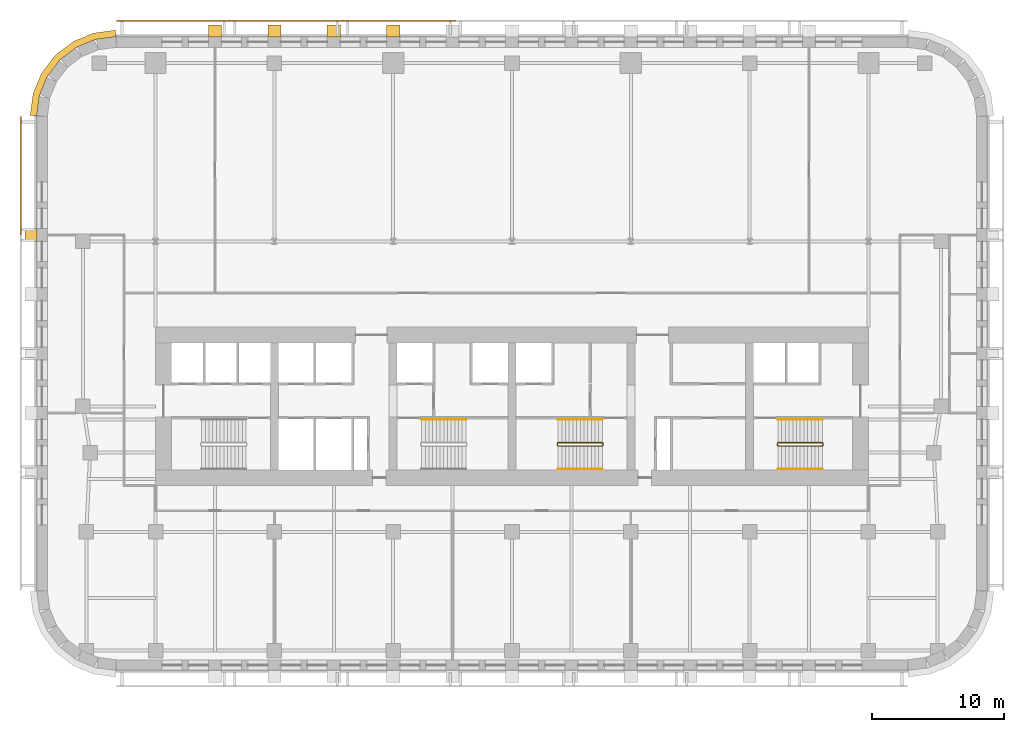
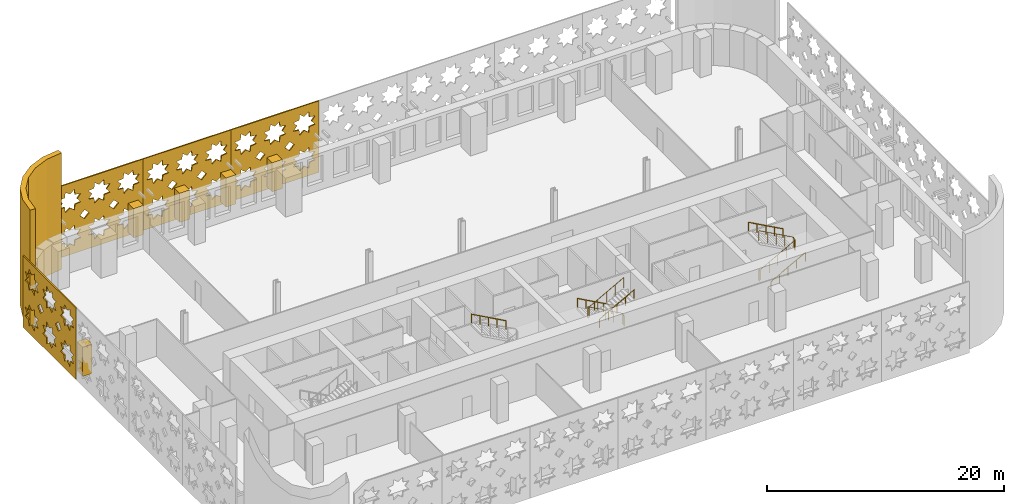
# One storey, part 11 of 13: 10 coverings, 7 railings.
"""IFC4 building model written with IfcOpenShell, lengths in metres."""

from ifc_helpers import new_model, si_unit, direction, frame, origin, origin_2d, place, context, subcontext, project, spatial, polyline, circle, outline, extrude, material, layer, layer_set, type_object, element, save


model = new_model("IFC4")

# Units and contexts
model_context = context("Model", 3, precision=1e-05, world=origin(), true_north=direction((0.0, 1.0)))
body_context = subcontext(model_context, "Body", "Model", "MODEL_VIEW")
ifc_project = project(units=[si_unit("LENGTHUNIT", "METRE"), si_unit("AREAUNIT", "SQUARE_METRE"), si_unit("VOLUMEUNIT", "CUBIC_METRE"), si_unit("PLANEANGLEUNIT", "RADIAN"), si_unit("MASSUNIT", "GRAM", prefix="KILO")], contexts=[model_context])

# Site, building, storey
site_placement = place(None, origin())
site = spatial("IfcSite", under=ifc_project, at=site_placement, CompositionType="ELEMENT")
building_placement = place(site_placement, origin())
building = spatial("IfcBuilding", under=site, at=building_placement, Name="Zellij Exchange Tower", CompositionType="ELEMENT")
storey_placement = place(building_placement, frame((0.0, 0.0, 52.5)))
storey = spatial("IfcBuildingStorey", under=building, at=storey_placement, Name="L09", CompositionType="ELEMENT", Elevation=52.5)

# Railings
ifc_material_1 = material(Name="Stainless steel", Category="steel")
railing_type_1 = type_object("IfcRailingType", Name="CORE-RG stair guard", PredefinedType="GUARDRAIL", material=ifc_material_1)
railing_1_placement = place(storey_placement, frame((6.89990234375, -10.800048828125, 0.0)))
element("IfcRailing", 1, at=railing_1_placement, inside=storey, type_object=railing_type_1, Name="ST3 stair guard L09", PredefinedType="GUARDRAIL", context=body_context, shape_type="SweptSolid", body=[
    extrude(circle(Radius=0.02392578125, at=origin_2d()), frame((0.0, 0.0, 1.076171875), z_axis=(0.0, -1.0, 0.0), x_axis=(1.0, 0.0, 0.0)), (0.0, 0.0, 1.0), 0.14990234375),
    extrude(circle(Radius=0.02392578125, at=origin_2d()), frame((0.0, -0.14990234375, 1.076171875), z_axis=(-0.193691321961, 0.777613689637, 0.598164376644), x_axis=(-0.970351222016, -0.241699205484, 0.0)), (0.0, 0.0, 1.0), 0.257080078125),
    extrude(circle(Radius=0.02392578125, at=origin_2d()), frame((-0.0498046875, 0.050048828125, 1.22998046875), z_axis=(-0.876421534553, 0.0, 0.481544695509), x_axis=(0.0, -1.0, 0.0)), (0.0, 0.0, 1.0), 3.833984375),
    extrude(circle(Radius=0.02392578125, at=origin_2d()), frame((-3.409912109375, 0.050048828125, 3.076171875), z_axis=(-0.707106781187, -0.707106781187, 0.0), x_axis=(0.707106781187, -0.707106781187, 0.0)), (0.0, 0.0, 1.0), 0.07080078125),
    extrude(circle(Radius=0.02392578125, at=origin_2d()), frame((-3.4599609375, 0.0, 3.076171875), z_axis=(0.0, -1.0, 0.0), x_axis=(1.0, 0.0, 0.0)), (0.0, 0.0, 1.0), 0.14990234375),
    extrude(circle(Radius=0.02392578125, at=origin_2d()), frame((-3.4599609375, -0.14990234375, 3.076171875), z_axis=(0.295599637079, -0.295599637079, 0.908428152975), x_axis=(0.707106781187, 0.707106781187, 0.0)), (0.0, 0.0, 1.0), 0.16943359375),
    extrude(circle(Radius=0.02392578125, at=origin_2d()), frame((-3.409912109375, -0.199951171875, 3.22998046875), z_axis=(0.876421534553, 0.0, 0.481544695509), x_axis=(0.0, 1.0, 0.0)), (0.0, 0.0, 1.0), 3.833984375),
    extrude(circle(Radius=0.02099609375, at=origin_2d()), origin(), (0.0, 0.0, 1.0), 1.052001953125),
    extrude(circle(Radius=0.02099609375, at=origin_2d()), frame((0.0, -0.14990234375, 0.0)), (0.0, 0.0, 1.0), 1.052001953125),
    extrude(circle(Radius=0.02099609375, at=origin_2d()), frame((-0.0498046875, 0.050048828125, 0.15380859375)), (0.0, 0.0, 1.0), 1.052001953125),
    extrude(circle(Radius=0.02099609375, at=origin_2d()), frame((-0.889892578125, 0.050048828125, 0.615234375)), (0.0, 0.0, 1.0), 1.052001953125),
    extrude(circle(Radius=0.02099609375, at=origin_2d()), frame((-1.72998046875, 0.050048828125, 1.076904296875)), (0.0, 0.0, 1.0), 1.052001953125),
    extrude(circle(Radius=0.02099609375, at=origin_2d()), frame((-2.56982421875, 0.050048828125, 1.53857421875)), (0.0, 0.0, 1.0), 1.052001953125),
    extrude(circle(Radius=0.02099609375, at=origin_2d()), frame((-3.409912109375, 0.050048828125, 2.0)), (0.0, 0.0, 1.0), 1.052001953125),
    extrude(circle(Radius=0.02099609375, at=origin_2d()), frame((-3.4599609375, 0.0, 2.0)), (0.0, 0.0, 1.0), 1.052001953125),
    extrude(circle(Radius=0.02099609375, at=origin_2d()), frame((-3.4599609375, -0.14990234375, 2.0)), (0.0, 0.0, 1.0), 1.052001953125),
    extrude(circle(Radius=0.02099609375, at=origin_2d()), frame((-3.409912109375, -0.199951171875, 2.15380859375)), (0.0, 0.0, 1.0), 1.052001953125),
    extrude(circle(Radius=0.02099609375, at=origin_2d()), frame((-2.56982421875, -0.199951171875, 2.615234375)), (0.0, 0.0, 1.0), 1.052001953125),
    extrude(circle(Radius=0.02099609375, at=origin_2d()), frame((-1.72998046875, -0.199951171875, 3.076904296875)), (0.0, 0.0, 1.0), 1.052001953125),
    extrude(circle(Radius=0.02099609375, at=origin_2d()), frame((-0.889892578125, -0.199951171875, 3.53857421875)), (0.0, 0.0, 1.0), 1.052001953125),
    extrude(circle(Radius=0.02099609375, at=origin_2d()), frame((-0.0498046875, -0.199951171875, 4.0)), (0.0, 0.0, 1.0), 1.052001953125),
])
railing_2_placement = place(storey_placement, frame((20.10009765625, -10.949951171875, 0.0)))
element("IfcRailing", 2, at=railing_2_placement, inside=storey, type_object=railing_type_1, Name="ST4 stair guard L09", PredefinedType="GUARDRAIL", context=body_context, shape_type="SweptSolid", body=[
    extrude(circle(Radius=0.02392578125, at=origin_2d()), frame((0.0, 0.0, 1.076171875), z_axis=(0.0, 1.0, 0.0), x_axis=(-1.0, 0.0, 0.0)), (0.0, 0.0, 1.0), 0.14990234375),
    extrude(circle(Radius=0.02392578125, at=origin_2d()), frame((0.0, 0.14990234375, 1.076171875), z_axis=(0.193691321961, -0.777613689637, 0.598164376644), x_axis=(0.970351222016, 0.241699205484, 0.0)), (0.0, 0.0, 1.0), 0.257080078125),
    extrude(circle(Radius=0.02392578125, at=origin_2d()), frame((0.0498046875, -0.050048828125, 1.22998046875), z_axis=(0.876421534553, 0.0, 0.481544695509), x_axis=(0.0, 1.0, 0.0)), (0.0, 0.0, 1.0), 3.833984375),
    extrude(circle(Radius=0.02392578125, at=origin_2d()), frame((3.409912109375, -0.050048828125, 3.076171875), z_axis=(0.707106781187, 0.707106781187, 0.0), x_axis=(-0.707106781187, 0.707106781187, 0.0)), (0.0, 0.0, 1.0), 0.07080078125),
    extrude(circle(Radius=0.02392578125, at=origin_2d()), frame((3.4599609375, 0.0, 3.076171875), z_axis=(0.0, 1.0, 0.0), x_axis=(-1.0, 0.0, 0.0)), (0.0, 0.0, 1.0), 0.14990234375),
    extrude(circle(Radius=0.02392578125, at=origin_2d()), frame((3.4599609375, 0.14990234375, 3.076171875), z_axis=(-0.295599637079, 0.295599637079, 0.908428152975), x_axis=(-0.707106781187, -0.707106781187, 0.0)), (0.0, 0.0, 1.0), 0.16943359375),
    extrude(circle(Radius=0.02392578125, at=origin_2d()), frame((3.409912109375, 0.199951171875, 3.22998046875), z_axis=(-0.876421534553, 0.0, 0.481544695509), x_axis=(0.0, -1.0, 0.0)), (0.0, 0.0, 1.0), 3.833984375),
    extrude(circle(Radius=0.02099609375, at=origin_2d()), origin(), (0.0, 0.0, 1.0), 1.052001953125),
    extrude(circle(Radius=0.02099609375, at=origin_2d()), frame((0.0, 0.14990234375, 0.0)), (0.0, 0.0, 1.0), 1.052001953125),
    extrude(circle(Radius=0.02099609375, at=origin_2d()), frame((0.0498046875, -0.050048828125, 0.15380859375)), (0.0, 0.0, 1.0), 1.052001953125),
    extrude(circle(Radius=0.02099609375, at=origin_2d()), frame((0.889892578125, -0.050048828125, 0.615234375)), (0.0, 0.0, 1.0), 1.052001953125),
    extrude(circle(Radius=0.02099609375, at=origin_2d()), frame((1.72998046875, -0.050048828125, 1.076904296875)), (0.0, 0.0, 1.0), 1.052001953125),
    extrude(circle(Radius=0.02099609375, at=origin_2d()), frame((2.56982421875, -0.050048828125, 1.53857421875)), (0.0, 0.0, 1.0), 1.052001953125),
    extrude(circle(Radius=0.02099609375, at=origin_2d()), frame((3.409912109375, -0.050048828125, 2.0)), (0.0, 0.0, 1.0), 1.052001953125),
    extrude(circle(Radius=0.02099609375, at=origin_2d()), frame((3.4599609375, 0.0, 2.0)), (0.0, 0.0, 1.0), 1.052001953125),
    extrude(circle(Radius=0.02099609375, at=origin_2d()), frame((3.4599609375, 0.14990234375, 2.0)), (0.0, 0.0, 1.0), 1.052001953125),
    extrude(circle(Radius=0.02099609375, at=origin_2d()), frame((3.409912109375, 0.199951171875, 2.15380859375)), (0.0, 0.0, 1.0), 1.052001953125),
    extrude(circle(Radius=0.02099609375, at=origin_2d()), frame((2.56982421875, 0.199951171875, 2.615234375)), (0.0, 0.0, 1.0), 1.052001953125),
    extrude(circle(Radius=0.02099609375, at=origin_2d()), frame((1.72998046875, 0.199951171875, 3.076904296875)), (0.0, 0.0, 1.0), 1.052001953125),
    extrude(circle(Radius=0.02099609375, at=origin_2d()), frame((0.889892578125, 0.199951171875, 3.53857421875)), (0.0, 0.0, 1.0), 1.052001953125),
    extrude(circle(Radius=0.02099609375, at=origin_2d()), frame((0.0498046875, 0.199951171875, 4.0)), (0.0, 0.0, 1.0), 1.052001953125),
])
railing_type_2 = type_object("IfcRailingType", Name="CORE-RH stair handrail", PredefinedType="HANDRAIL", material=ifc_material_1)
for number, where, name in (
    (3, (-3.489990234375, -9.0, 2.15380859375), "ST2 stair handrail L09"),
    (4, (6.85009765625, -9.0, 0.15380859375), "ST3 stair handrail L09"),
):
    element("IfcRailing", number, at=place(storey_placement, frame(where)), inside=storey, type_object=railing_type_2, Name=name, PredefinedType="HANDRAIL", context=body_context, shape_type="SweptSolid", body=[
        extrude(circle(Radius=0.02392578125, at=origin_2d()), frame((0.0, 0.0, 0.8759765625), z_axis=(-0.876421534553, 0.0, 0.481544695509), x_axis=(0.0, -1.0, 0.0)), (0.0, 0.0, 1.0), 3.833984375),
        extrude(circle(Radius=0.02099609375, at=origin_2d()), origin(), (0.0, 0.0, 1.0), 0.851806640625),
        extrude(circle(Radius=0.02099609375, at=origin_2d()), frame((-0.840087890625, 0.0, 0.46142578125)), (0.0, 0.0, 1.0), 0.851806640625),
        extrude(circle(Radius=0.02099609375, at=origin_2d()), frame((-1.68017578125, 0.0, 0.923095703125)), (0.0, 0.0, 1.0), 0.851806640625),
        extrude(circle(Radius=0.02099609375, at=origin_2d()), frame((-2.52001953125, 0.0, 1.384765625)), (0.0, 0.0, 1.0), 0.851806640625),
        extrude(circle(Radius=0.02099609375, at=origin_2d()), frame((-3.360107421875, 0.0, 1.84619140625)), (0.0, 0.0, 1.0), 0.851806640625),
    ])
for number, where, name in (
    (5, (3.489990234375, -12.75, 2.15380859375), "ST3 stair handrail L09"),
    (6, (20.14990234375, -12.75, 0.15380859375), "ST4 stair handrail L09"),
):
    element("IfcRailing", number, at=place(storey_placement, frame(where)), inside=storey, type_object=railing_type_2, Name=name, PredefinedType="HANDRAIL", context=body_context, shape_type="SweptSolid", body=[
        extrude(circle(Radius=0.02392578125, at=origin_2d()), frame((0.0, 0.0, 0.8759765625), z_axis=(0.876421534553, 0.0, 0.481544695509), x_axis=(0.0, 1.0, 0.0)), (0.0, 0.0, 1.0), 3.833984375),
        extrude(circle(Radius=0.02099609375, at=origin_2d()), origin(), (0.0, 0.0, 1.0), 0.851806640625),
        extrude(circle(Radius=0.02099609375, at=origin_2d()), frame((0.840087890625, 0.0, 0.46142578125)), (0.0, 0.0, 1.0), 0.851806640625),
        extrude(circle(Radius=0.02099609375, at=origin_2d()), frame((1.68017578125, 0.0, 0.923095703125)), (0.0, 0.0, 1.0), 0.851806640625),
        extrude(circle(Radius=0.02099609375, at=origin_2d()), frame((2.52001953125, 0.0, 1.384765625)), (0.0, 0.0, 1.0), 0.851806640625),
        extrude(circle(Radius=0.02099609375, at=origin_2d()), frame((3.360107421875, 0.0, 1.84619140625)), (0.0, 0.0, 1.0), 0.851806640625),
    ])
railing_3_placement = place(storey_placement, frame((23.510009765625, -9.0, 2.15380859375)))
element("IfcRailing", 7, at=railing_3_placement, inside=storey, type_object=railing_type_2, Name="ST4 stair handrail L09", PredefinedType="HANDRAIL", context=body_context, shape_type="SweptSolid", body=[
    extrude(circle(Radius=0.02392578125, at=origin_2d()), frame((0.0, 0.0, 0.8759765625), z_axis=(-0.876421534553, 0.0, 0.481544695509), x_axis=(0.0, -1.0, 0.0)), (0.0, 0.0, 1.0), 3.833984375),
    extrude(circle(Radius=0.02099609375, at=origin_2d()), origin(), (0.0, 0.0, 1.0), 0.851806640625),
    extrude(circle(Radius=0.02099609375, at=origin_2d()), frame((-0.840087890625, 0.0, 0.46142578125)), (0.0, 0.0, 1.0), 0.851806640625),
    extrude(circle(Radius=0.02099609375, at=origin_2d()), frame((-1.68017578125, 0.0, 0.923095703125)), (0.0, 0.0, 1.0), 0.851806640625),
    extrude(circle(Radius=0.02099609375, at=origin_2d()), frame((-2.52001953125, 0.0, 1.384765625)), (0.0, 0.0, 1.0), 0.851806640625),
    extrude(circle(Radius=0.02099609375, at=origin_2d()), frame((-3.360107421875, 0.0, 1.84619140625)), (0.0, 0.0, 1.0), 0.851806640625),
])

# Coverings
ifc_material_2 = material(Name="Limestone cladding", Category="masonry")
ifc_layer_1 = layer(ifc_material_2, 0.5)
ifc_layer_set_1 = layer_set([ifc_layer_1], Name="Limestone cladding")
covering_type_1 = type_object("IfcCoveringType", Name="ENV-CV12 Stone corner pier 500", PredefinedType="CLADDING", material=ifc_layer_set_1)
covering_1_placement = place(storey_placement, origin())
element("IfcCovering", 8, at=covering_1_placement, inside=storey, type_object=covering_type_1, Name="Stone corner pier", PredefinedType="CLADDING", context=body_context, shape_type="SweptSolid", body=[
    extrude(outline(polyline([(-30.0, 20.0), (-31.552978515625, 19.795654296875), (-33.0, 19.1962890625), (-34.24267578125, 18.24267578125), (-35.1962890625, 17.0), (-35.795654296875, 15.552978515625), (-36.0, 14.0), (-36.5, 14.03271484375), (-36.28271484375, 15.683349609375), (-35.6328125, 17.252197265625), (-34.59912109375, 18.59912109375), (-33.252197265625, 19.6328125), (-31.683349609375, 20.28271484375), (-30.03271484375, 20.5), (-30.0, 20.0)])), origin(), (0.0, 0.0, 1.0), 12.0),
])
covering_type_2 = type_object("IfcCoveringType", Name="ENV-CV2 Stone pier 1000x900", PredefinedType="CLADDING", material=ifc_material_2)
covering_2_placement = place(storey_placement, frame((0.0, 0.0, 0.800048828125)))
element("IfcCovering", 9, at=covering_2_placement, inside=storey, type_object=covering_type_2, Name="Stone pier", PredefinedType="CLADDING", context=body_context, shape_type="SweptSolid", body=[
    extrude(outline(polyline([(-8.5, 20.0), (-9.5, 20.0), (-9.5, 20.89990234375), (-8.5, 20.89990234375), (-8.5, 20.0)])), origin(), (0.0, 0.0, 1.0), 3.0),
])
covering_3_placement = place(storey_placement, frame((0.0, 0.0, 0.800048828125)))
element("IfcCovering", 10, at=covering_3_placement, inside=storey, type_object=covering_type_2, Name="Stone pier", PredefinedType="CLADDING", context=body_context, shape_type="SweptSolid", body=[
    extrude(outline(polyline([(-13.0, 20.0), (-14.0, 20.0), (-14.0, 20.89990234375), (-13.0, 20.89990234375), (-13.0, 20.0)])), origin(), (0.0, 0.0, 1.0), 3.0),
])
covering_4_placement = place(storey_placement, frame((0.0, 0.0, 0.800048828125)))
element("IfcCovering", 11, at=covering_4_placement, inside=storey, type_object=covering_type_2, Name="Stone pier", PredefinedType="CLADDING", context=body_context, shape_type="SweptSolid", body=[
    extrude(outline(polyline([(-17.5, 20.0), (-18.5, 20.0), (-18.5, 20.89990234375), (-17.5, 20.89990234375), (-17.5, 20.0)])), origin(), (0.0, 0.0, 1.0), 3.0),
])
covering_5_placement = place(storey_placement, frame((0.0, 0.0, 0.800048828125)))
element("IfcCovering", 12, at=covering_5_placement, inside=storey, type_object=covering_type_2, Name="Stone pier", PredefinedType="CLADDING", context=body_context, shape_type="SweptSolid", body=[
    extrude(outline(polyline([(-22.0, 20.0), (-23.0, 20.0), (-23.0, 20.89990234375), (-22.0, 20.89990234375), (-22.0, 20.0)])), origin(), (0.0, 0.0, 1.0), 3.0),
])
covering_6_placement = place(storey_placement, frame((0.0, 0.0, 0.800048828125)))
element("IfcCovering", 13, at=covering_6_placement, inside=storey, type_object=covering_type_2, Name="Stone pier", PredefinedType="CLADDING", context=body_context, shape_type="SweptSolid", body=[
    extrude(outline(polyline([(-36.0, 5.48681640625), (-36.0, 4.48681640625), (-36.89990234375, 4.48681640625), (-36.89990234375, 5.48681640625), (-36.0, 5.48681640625)])), origin(), (0.0, 0.0, 1.0), 3.0),
])
ifc_material_3 = material(Name="Limestone screen", Category="masonry")
ifc_layer_2 = layer(ifc_material_3, 0.1201171875)
ifc_layer_set_2 = layer_set([ifc_layer_2], Name="Limestone screen")
covering_type_3 = type_object("IfcCoveringType", Name="ENV-SC1 Pierced stone screen 120", PredefinedType="USERDEFINED", material=ifc_layer_set_2)
covering_7_placement = place(storey_placement, frame((-37.2099609375, 13.947509765625, 0.300048828125), z_axis=(0.0, 0.0, 1.0), x_axis=(0.0, -1.0, 0.0)))
element("IfcCovering", 14, at=covering_7_placement, inside=storey, type_object=covering_type_3, Name="Pierced stone screen", ObjectType="SCREEN", PredefinedType="USERDEFINED", context=body_context, shape_type="SweptSolid", body=[
    extrude(outline(polyline([(0.0, 0.0), (8.973876953125, 0.0), (8.973876953125, 7.35009765625), (0.0, 7.35009765625), (0.0, 0.0)]), holes=[polyline([(2.60107421875, 2.29541015625), (2.020263671875, 2.362060546875), (1.95361328125, 2.94287109375), (1.49560546875, 2.579345703125), (1.03759765625, 2.94287109375), (0.97119140625, 2.362060546875), (0.39013671875, 2.29541015625), (0.75390625, 1.83740234375), (0.39013671875, 1.379638671875), (0.97119140625, 1.31298828125), (1.03759765625, 0.732177734375), (1.49560546875, 1.095703125), (1.95361328125, 0.732177734375), (2.020263671875, 1.31298828125), (2.60107421875, 1.379638671875), (2.237548828125, 1.83740234375), (2.60107421875, 2.29541015625)]), polyline([(2.60107421875, 5.970458984375), (2.020263671875, 6.037109375), (1.95361328125, 6.617919921875), (1.49560546875, 6.25439453125), (1.03759765625, 6.617919921875), (0.97119140625, 6.037109375), (0.39013671875, 5.970458984375), (0.75390625, 5.512451171875), (0.39013671875, 5.0546875), (0.97119140625, 4.98779296875), (1.03759765625, 4.406982421875), (1.49560546875, 4.770751953125), (1.95361328125, 4.406982421875), (2.020263671875, 4.98779296875), (2.60107421875, 5.0546875), (2.237548828125, 5.512451171875), (2.60107421875, 5.970458984375)]), polyline([(5.59228515625, 2.29541015625), (5.011474609375, 2.362060546875), (4.94482421875, 2.94287109375), (4.48681640625, 2.579345703125), (4.029052734375, 2.94287109375), (3.96240234375, 2.362060546875), (3.381591796875, 2.29541015625), (3.7451171875, 1.83740234375), (3.381591796875, 1.379638671875), (3.96240234375, 1.31298828125), (4.029052734375, 0.732177734375), (4.48681640625, 1.095703125), (4.94482421875, 0.732177734375), (5.011474609375, 1.31298828125), (5.59228515625, 1.379638671875), (5.228759765625, 1.83740234375), (5.59228515625, 2.29541015625)]), polyline([(5.59228515625, 5.970458984375), (5.011474609375, 6.037109375), (4.94482421875, 6.617919921875), (4.48681640625, 6.25439453125), (4.029052734375, 6.617919921875), (3.96240234375, 6.037109375), (3.381591796875, 5.970458984375), (3.7451171875, 5.512451171875), (3.381591796875, 5.0546875), (3.96240234375, 4.98779296875), (4.029052734375, 4.406982421875), (4.48681640625, 4.770751953125), (4.94482421875, 4.406982421875), (5.011474609375, 4.98779296875), (5.59228515625, 5.0546875), (5.228759765625, 5.512451171875), (5.59228515625, 5.970458984375)]), polyline([(8.58349609375, 2.29541015625), (8.002685546875, 2.362060546875), (7.93603515625, 2.94287109375), (7.478271484375, 2.579345703125), (7.020263671875, 2.94287109375), (6.95361328125, 2.362060546875), (6.372802734375, 2.29541015625), (6.736328125, 1.83740234375), (6.372802734375, 1.379638671875), (6.95361328125, 1.31298828125), (7.020263671875, 0.732177734375), (7.478271484375, 1.095703125), (7.93603515625, 0.732177734375), (8.002685546875, 1.31298828125), (8.58349609375, 1.379638671875), (8.219970703125, 1.83740234375), (8.58349609375, 2.29541015625)]), polyline([(8.58349609375, 5.970458984375), (8.002685546875, 6.037109375), (7.93603515625, 6.617919921875), (7.478271484375, 6.25439453125), (7.020263671875, 6.617919921875), (6.95361328125, 6.037109375), (6.372802734375, 5.970458984375), (6.736328125, 5.512451171875), (6.372802734375, 5.0546875), (6.95361328125, 4.98779296875), (7.020263671875, 4.406982421875), (7.478271484375, 4.770751953125), (7.93603515625, 4.406982421875), (8.002685546875, 4.98779296875), (8.58349609375, 5.0546875), (8.219970703125, 5.512451171875), (8.58349609375, 5.970458984375)]), polyline([(3.469970703125, 3.675048828125), (2.9912109375, 4.153564453125), (2.5126953125, 3.675048828125), (2.9912109375, 3.1962890625), (3.469970703125, 3.675048828125)]), polyline([(6.461181640625, 3.675048828125), (5.982421875, 4.153564453125), (5.50390625, 3.675048828125), (5.982421875, 3.1962890625), (6.461181640625, 3.675048828125)])]), frame((0.0, 0.06005859375, 0.0), z_axis=(0.0, -1.0, 0.0), x_axis=(1.0, 0.0, 0.0)), (0.0, 0.0, 1.0), 0.1201171875),
])
covering_8_placement = place(storey_placement, frame((-4.2783203125, 21.2099609375, 0.300048828125), z_axis=(0.0, 0.0, 1.0), x_axis=(-1.0, 0.0, 0.0)))
element("IfcCovering", 15, at=covering_8_placement, inside=storey, type_object=covering_type_3, Name="Pierced stone screen", ObjectType="SCREEN", PredefinedType="USERDEFINED", context=body_context, shape_type="SweptSolid", body=[
    extrude(outline(polyline([(0.0, 0.0), (8.556396484375, 0.0), (8.556396484375, 7.35009765625), (0.0, 7.35009765625), (0.0, 0.0)]), holes=[polyline([(2.47998046875, 2.274169921875), (1.92626953125, 2.337646484375), (1.86279296875, 2.8916015625), (1.426025390625, 2.544921875), (0.989501953125, 2.8916015625), (0.92578125, 2.337646484375), (0.3720703125, 2.274169921875), (0.71875, 1.83740234375), (0.3720703125, 1.40087890625), (0.92578125, 1.33740234375), (0.989501953125, 0.783447265625), (1.426025390625, 1.130126953125), (1.86279296875, 0.783447265625), (1.92626953125, 1.33740234375), (2.47998046875, 1.40087890625), (2.13330078125, 1.83740234375), (2.47998046875, 2.274169921875)]), polyline([(2.47998046875, 5.94921875), (1.92626953125, 6.0126953125), (1.86279296875, 6.56640625), (1.426025390625, 6.2197265625), (0.989501953125, 6.56640625), (0.92578125, 6.0126953125), (0.3720703125, 5.94921875), (0.71875, 5.512451171875), (0.3720703125, 5.075927734375), (0.92578125, 5.01220703125), (0.989501953125, 4.45849609375), (1.426025390625, 4.80517578125), (1.86279296875, 4.45849609375), (1.92626953125, 5.01220703125), (2.47998046875, 5.075927734375), (2.13330078125, 5.512451171875), (2.47998046875, 5.94921875)]), polyline([(5.332275390625, 2.274169921875), (4.7783203125, 2.337646484375), (4.71484375, 2.8916015625), (4.2783203125, 2.544921875), (3.841552734375, 2.8916015625), (3.778076171875, 2.337646484375), (3.22412109375, 2.274169921875), (3.57080078125, 1.83740234375), (3.22412109375, 1.40087890625), (3.778076171875, 1.33740234375), (3.841552734375, 0.783447265625), (4.2783203125, 1.130126953125), (4.71484375, 0.783447265625), (4.7783203125, 1.33740234375), (5.332275390625, 1.40087890625), (4.985595703125, 1.83740234375), (5.332275390625, 2.274169921875)]), polyline([(5.332275390625, 5.94921875), (4.7783203125, 6.0126953125), (4.71484375, 6.56640625), (4.2783203125, 6.2197265625), (3.841552734375, 6.56640625), (3.778076171875, 6.0126953125), (3.22412109375, 5.94921875), (3.57080078125, 5.512451171875), (3.22412109375, 5.075927734375), (3.778076171875, 5.01220703125), (3.841552734375, 4.45849609375), (4.2783203125, 4.80517578125), (4.71484375, 4.45849609375), (4.7783203125, 5.01220703125), (5.332275390625, 5.075927734375), (4.985595703125, 5.512451171875), (5.332275390625, 5.94921875)]), polyline([(8.184326171875, 2.274169921875), (7.630615234375, 2.337646484375), (7.56689453125, 2.8916015625), (7.13037109375, 2.544921875), (6.69384765625, 2.8916015625), (6.630126953125, 2.337646484375), (6.076416015625, 2.274169921875), (6.423095703125, 1.83740234375), (6.076416015625, 1.40087890625), (6.630126953125, 1.33740234375), (6.69384765625, 0.783447265625), (7.13037109375, 1.130126953125), (7.56689453125, 0.783447265625), (7.630615234375, 1.33740234375), (8.184326171875, 1.40087890625), (7.837646484375, 1.83740234375), (8.184326171875, 2.274169921875)]), polyline([(8.184326171875, 5.94921875), (7.630615234375, 6.0126953125), (7.56689453125, 6.56640625), (7.13037109375, 6.2197265625), (6.69384765625, 6.56640625), (6.630126953125, 6.0126953125), (6.076416015625, 5.94921875), (6.423095703125, 5.512451171875), (6.076416015625, 5.075927734375), (6.630126953125, 5.01220703125), (6.69384765625, 4.45849609375), (7.13037109375, 4.80517578125), (7.56689453125, 4.45849609375), (7.630615234375, 5.01220703125), (8.184326171875, 5.075927734375), (7.837646484375, 5.512451171875), (8.184326171875, 5.94921875)]), polyline([(3.30859375, 3.675048828125), (2.852294921875, 4.13134765625), (2.395751953125, 3.675048828125), (2.852294921875, 3.21875), (3.30859375, 3.675048828125)]), polyline([(6.16064453125, 3.675048828125), (5.704345703125, 4.13134765625), (5.248046875, 3.675048828125), (5.704345703125, 3.21875), (6.16064453125, 3.675048828125)])]), frame((0.0, 0.06005859375, 0.0), z_axis=(0.0, -1.0, 0.0), x_axis=(1.0, 0.0, 0.0)), (0.0, 0.0, 1.0), 0.1201171875),
])
covering_9_placement = place(storey_placement, frame((-12.834716796875, 21.2099609375, 0.300048828125), z_axis=(0.0, 0.0, 1.0), x_axis=(-1.0, 0.0, 0.0)))
element("IfcCovering", 16, at=covering_9_placement, inside=storey, type_object=covering_type_3, Name="Pierced stone screen", ObjectType="SCREEN", PredefinedType="USERDEFINED", context=body_context, shape_type="SweptSolid", body=[
    extrude(outline(polyline([(0.0, 0.0), (8.556396484375, 0.0), (8.556396484375, 7.35009765625), (0.0, 7.35009765625), (0.0, 0.0)]), holes=[polyline([(2.47998046875, 2.274169921875), (1.92626953125, 2.337646484375), (1.86279296875, 2.8916015625), (1.426025390625, 2.544921875), (0.989501953125, 2.8916015625), (0.92578125, 2.337646484375), (0.3720703125, 2.274169921875), (0.71875, 1.83740234375), (0.3720703125, 1.40087890625), (0.92578125, 1.33740234375), (0.989501953125, 0.783447265625), (1.426025390625, 1.130126953125), (1.86279296875, 0.783447265625), (1.92626953125, 1.33740234375), (2.47998046875, 1.40087890625), (2.13330078125, 1.83740234375), (2.47998046875, 2.274169921875)]), polyline([(2.47998046875, 5.94921875), (1.92626953125, 6.0126953125), (1.86279296875, 6.56640625), (1.426025390625, 6.2197265625), (0.989501953125, 6.56640625), (0.92578125, 6.0126953125), (0.3720703125, 5.94921875), (0.71875, 5.512451171875), (0.3720703125, 5.075927734375), (0.92578125, 5.01220703125), (0.989501953125, 4.45849609375), (1.426025390625, 4.80517578125), (1.86279296875, 4.45849609375), (1.92626953125, 5.01220703125), (2.47998046875, 5.075927734375), (2.13330078125, 5.512451171875), (2.47998046875, 5.94921875)]), polyline([(5.332275390625, 2.274169921875), (4.7783203125, 2.337646484375), (4.71484375, 2.8916015625), (4.2783203125, 2.544921875), (3.841552734375, 2.8916015625), (3.778076171875, 2.337646484375), (3.22412109375, 2.274169921875), (3.57080078125, 1.83740234375), (3.22412109375, 1.40087890625), (3.778076171875, 1.33740234375), (3.841552734375, 0.783447265625), (4.2783203125, 1.130126953125), (4.71484375, 0.783447265625), (4.7783203125, 1.33740234375), (5.332275390625, 1.40087890625), (4.985595703125, 1.83740234375), (5.332275390625, 2.274169921875)]), polyline([(5.332275390625, 5.94921875), (4.7783203125, 6.0126953125), (4.71484375, 6.56640625), (4.2783203125, 6.2197265625), (3.841552734375, 6.56640625), (3.778076171875, 6.0126953125), (3.22412109375, 5.94921875), (3.57080078125, 5.512451171875), (3.22412109375, 5.075927734375), (3.778076171875, 5.01220703125), (3.841552734375, 4.45849609375), (4.2783203125, 4.80517578125), (4.71484375, 4.45849609375), (4.7783203125, 5.01220703125), (5.332275390625, 5.075927734375), (4.985595703125, 5.512451171875), (5.332275390625, 5.94921875)]), polyline([(8.184326171875, 2.274169921875), (7.630615234375, 2.337646484375), (7.56689453125, 2.8916015625), (7.13037109375, 2.544921875), (6.69384765625, 2.8916015625), (6.630126953125, 2.337646484375), (6.076416015625, 2.274169921875), (6.423095703125, 1.83740234375), (6.076416015625, 1.40087890625), (6.630126953125, 1.33740234375), (6.69384765625, 0.783447265625), (7.13037109375, 1.130126953125), (7.56689453125, 0.783447265625), (7.630615234375, 1.33740234375), (8.184326171875, 1.40087890625), (7.837646484375, 1.83740234375), (8.184326171875, 2.274169921875)]), polyline([(8.184326171875, 5.94921875), (7.630615234375, 6.0126953125), (7.56689453125, 6.56640625), (7.13037109375, 6.2197265625), (6.69384765625, 6.56640625), (6.630126953125, 6.0126953125), (6.076416015625, 5.94921875), (6.423095703125, 5.512451171875), (6.076416015625, 5.075927734375), (6.630126953125, 5.01220703125), (6.69384765625, 4.45849609375), (7.13037109375, 4.80517578125), (7.56689453125, 4.45849609375), (7.630615234375, 5.01220703125), (8.184326171875, 5.075927734375), (7.837646484375, 5.512451171875), (8.184326171875, 5.94921875)]), polyline([(3.30859375, 3.675048828125), (2.852294921875, 4.13134765625), (2.395751953125, 3.675048828125), (2.852294921875, 3.21875), (3.30859375, 3.675048828125)]), polyline([(6.16064453125, 3.675048828125), (5.704345703125, 4.13134765625), (5.248046875, 3.675048828125), (5.704345703125, 3.21875), (6.16064453125, 3.675048828125)])]), frame((0.0, 0.06005859375, 0.0), z_axis=(0.0, -1.0, 0.0), x_axis=(1.0, 0.0, 0.0)), (0.0, 0.0, 1.0), 0.1201171875),
])
covering_10_placement = place(storey_placement, frame((-21.39111328125, 21.2099609375, 0.300048828125), z_axis=(0.0, 0.0, 1.0), x_axis=(-1.0, 0.0, 0.0)))
element("IfcCovering", 17, at=covering_10_placement, inside=storey, type_object=covering_type_3, Name="Pierced stone screen", ObjectType="SCREEN", PredefinedType="USERDEFINED", context=body_context, shape_type="SweptSolid", body=[
    extrude(outline(polyline([(0.0, 0.0), (8.556396484375, 0.0), (8.556396484375, 7.35009765625), (0.0, 7.35009765625), (0.0, 0.0)]), holes=[polyline([(2.47998046875, 2.274169921875), (1.92626953125, 2.337646484375), (1.86279296875, 2.8916015625), (1.426025390625, 2.544921875), (0.989501953125, 2.8916015625), (0.92578125, 2.337646484375), (0.3720703125, 2.274169921875), (0.71875, 1.83740234375), (0.3720703125, 1.40087890625), (0.92578125, 1.33740234375), (0.989501953125, 0.783447265625), (1.426025390625, 1.130126953125), (1.86279296875, 0.783447265625), (1.92626953125, 1.33740234375), (2.47998046875, 1.40087890625), (2.13330078125, 1.83740234375), (2.47998046875, 2.274169921875)]), polyline([(2.47998046875, 5.94921875), (1.92626953125, 6.0126953125), (1.86279296875, 6.56640625), (1.426025390625, 6.2197265625), (0.989501953125, 6.56640625), (0.92578125, 6.0126953125), (0.3720703125, 5.94921875), (0.71875, 5.512451171875), (0.3720703125, 5.075927734375), (0.92578125, 5.01220703125), (0.989501953125, 4.45849609375), (1.426025390625, 4.80517578125), (1.86279296875, 4.45849609375), (1.92626953125, 5.01220703125), (2.47998046875, 5.075927734375), (2.13330078125, 5.512451171875), (2.47998046875, 5.94921875)]), polyline([(5.332275390625, 2.274169921875), (4.7783203125, 2.337646484375), (4.71484375, 2.8916015625), (4.2783203125, 2.544921875), (3.841552734375, 2.8916015625), (3.778076171875, 2.337646484375), (3.22412109375, 2.274169921875), (3.57080078125, 1.83740234375), (3.22412109375, 1.40087890625), (3.778076171875, 1.33740234375), (3.841552734375, 0.783447265625), (4.2783203125, 1.130126953125), (4.71484375, 0.783447265625), (4.7783203125, 1.33740234375), (5.332275390625, 1.40087890625), (4.985595703125, 1.83740234375), (5.332275390625, 2.274169921875)]), polyline([(5.332275390625, 5.94921875), (4.7783203125, 6.0126953125), (4.71484375, 6.56640625), (4.2783203125, 6.2197265625), (3.841552734375, 6.56640625), (3.778076171875, 6.0126953125), (3.22412109375, 5.94921875), (3.57080078125, 5.512451171875), (3.22412109375, 5.075927734375), (3.778076171875, 5.01220703125), (3.841552734375, 4.45849609375), (4.2783203125, 4.80517578125), (4.71484375, 4.45849609375), (4.7783203125, 5.01220703125), (5.332275390625, 5.075927734375), (4.985595703125, 5.512451171875), (5.332275390625, 5.94921875)]), polyline([(8.184326171875, 2.274169921875), (7.630615234375, 2.337646484375), (7.56689453125, 2.8916015625), (7.13037109375, 2.544921875), (6.69384765625, 2.8916015625), (6.630126953125, 2.337646484375), (6.076416015625, 2.274169921875), (6.423095703125, 1.83740234375), (6.076416015625, 1.40087890625), (6.630126953125, 1.33740234375), (6.69384765625, 0.783447265625), (7.13037109375, 1.130126953125), (7.56689453125, 0.783447265625), (7.630615234375, 1.33740234375), (8.184326171875, 1.40087890625), (7.837646484375, 1.83740234375), (8.184326171875, 2.274169921875)]), polyline([(8.184326171875, 5.94921875), (7.630615234375, 6.0126953125), (7.56689453125, 6.56640625), (7.13037109375, 6.2197265625), (6.69384765625, 6.56640625), (6.630126953125, 6.0126953125), (6.076416015625, 5.94921875), (6.423095703125, 5.512451171875), (6.076416015625, 5.075927734375), (6.630126953125, 5.01220703125), (6.69384765625, 4.45849609375), (7.13037109375, 4.80517578125), (7.56689453125, 4.45849609375), (7.630615234375, 5.01220703125), (8.184326171875, 5.075927734375), (7.837646484375, 5.512451171875), (8.184326171875, 5.94921875)]), polyline([(3.30859375, 3.675048828125), (2.852294921875, 4.13134765625), (2.395751953125, 3.675048828125), (2.852294921875, 3.21875), (3.30859375, 3.675048828125)]), polyline([(6.16064453125, 3.675048828125), (5.704345703125, 4.13134765625), (5.248046875, 3.675048828125), (5.704345703125, 3.21875), (6.16064453125, 3.675048828125)])]), frame((0.0, 0.06005859375, 0.0), z_axis=(0.0, -1.0, 0.0), x_axis=(1.0, 0.0, 0.0)), (0.0, 0.0, 1.0), 0.1201171875),
])

save(model, "model.ifc")
